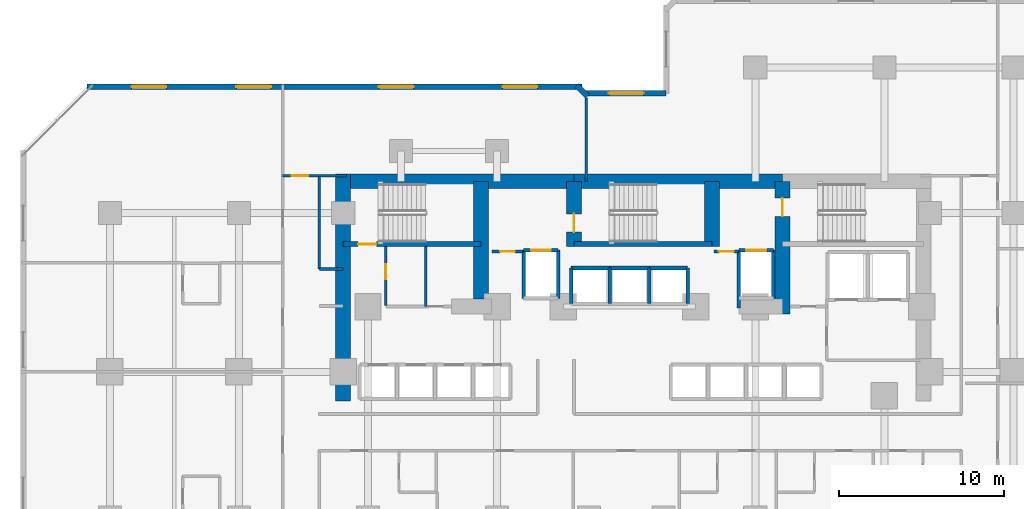
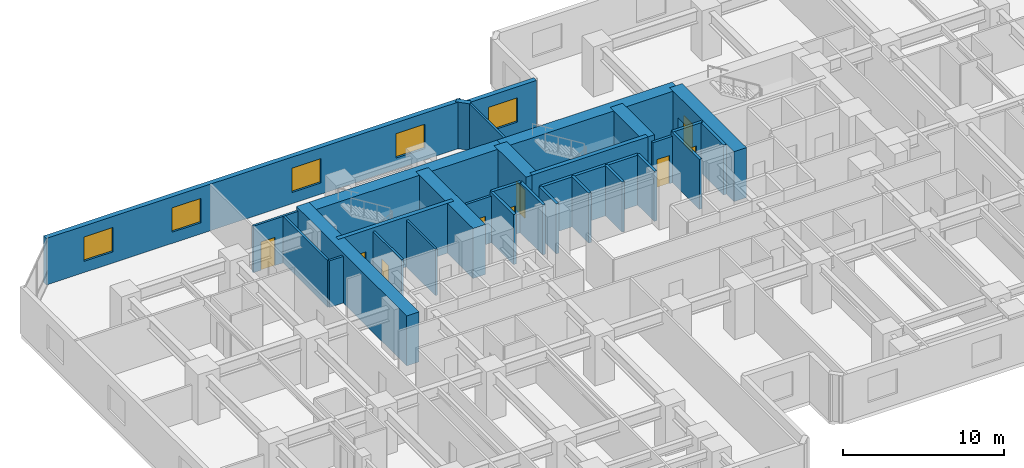
# One storey, part 8 of 12: 33 walls, 9 doors, 5 windows, 14 openings.
"""IFC4 building model written with IfcOpenShell, lengths in metres."""

from ifc_helpers import new_model, si_unit, direction, frame, frame_2d, origin, place, context, subcontext, project, spatial, rectangle, extrude, material, layer, layer_set, type_object, element, fill, save


model = new_model("IFC4")

# Units and contexts
model_context = context("Model", 3, precision=1e-05, world=origin(), true_north=direction((0.0, 1.0)))
body_context = subcontext(model_context, "Body", "Model", "MODEL_VIEW")
ifc_project = project(units=[si_unit("LENGTHUNIT", "METRE"), si_unit("AREAUNIT", "SQUARE_METRE"), si_unit("VOLUMEUNIT", "CUBIC_METRE"), si_unit("PLANEANGLEUNIT", "RADIAN"), si_unit("MASSUNIT", "GRAM", prefix="KILO")], contexts=[model_context])

# Site, building, storey
site_placement = place(None, origin())
site = spatial("IfcSite", under=ifc_project, at=site_placement, CompositionType="ELEMENT")
building_placement = place(site_placement, origin())
building = spatial("IfcBuilding", under=site, at=building_placement, Name="Kestravale Grand Hotel", CompositionType="ELEMENT")
storey_placement = place(building_placement, frame((0.0, 0.0, 67.800048828125)))
storey = spatial("IfcBuildingStorey", under=building, at=storey_placement, Name="L16", CompositionType="ELEMENT", Elevation=67.800048828125)

# Walls
ifc_material_1 = material(Name="Concrete f'c 70 MPa", Category="concrete")
ifc_layer_1 = layer(ifc_material_1, 0.89990234375)
ifc_layer_set_1 = layer_set([ifc_layer_1], Name="EW-CORE-900")
wall_type_1 = type_object("IfcWallType", Name="EW-CORE-900", PredefinedType="SHEAR", material=ifc_layer_set_1)
wall_1_placement = place(storey_placement, frame((21.449951171875, 40.320068359375, 0.0), z_axis=(0.0, 0.0, 1.0), x_axis=(1.0, 0.0, 0.0)))
element("IfcWall", 1, at=wall_1_placement, inside=storey, type_object=wall_type_1, Name="L16 core shear wall N1", PredefinedType="SHEAR", context=body_context, shape_type="SweptSolid", body=[
    extrude(rectangle(XDim=14.400146484375, YDim=0.89990234375, at=frame_2d((7.2001953125, 0.0))), origin(), (0.0, 0.0, 1.0), 3.800048828125),
])
wall_2_placement = place(storey_placement, frame((35.85009765625, 40.320068359375, 0.0), z_axis=(0.0, 0.0, 1.0), x_axis=(1.0, 0.0, 0.0)))
element("IfcWall", 2, at=wall_2_placement, inside=storey, type_object=wall_type_1, Name="L16 core shear wall N2", PredefinedType="SHEAR", context=body_context, shape_type="SweptSolid", body=[
    extrude(rectangle(XDim=12.599853515625, YDim=0.89990234375, at=frame_2d((6.2998046875, 0.0))), origin(), (0.0, 0.0, 1.0), 3.800048828125),
])
wall_3_placement = place(storey_placement, frame((21.89990234375, 27.050048828125, 0.0), z_axis=(0.0, 0.0, 1.0), x_axis=(0.0, 1.0, 0.0)))
element("IfcWall", 3, at=wall_3_placement, inside=storey, type_object=wall_type_1, Name="L16 core shear wall W1", PredefinedType="SHEAR", context=body_context, shape_type="SweptSolid", body=[
    extrude(rectangle(XDim=13.719970703125, YDim=0.89990234375, at=frame_2d((6.85986328125, 0.0))), origin(), (0.0, 0.0, 1.0), 3.800048828125),
])
wall_4_placement = place(storey_placement, frame((30.219970703125, 33.199951171875, 0.0), z_axis=(0.0, 0.0, 1.0), x_axis=(0.0, 1.0, 0.0)))
element("IfcWall", 4, at=wall_4_placement, inside=storey, type_object=wall_type_1, Name="L16 core shear wall X1", PredefinedType="SHEAR", context=body_context, shape_type="SweptSolid", body=[
    extrude(rectangle(XDim=7.1201171875, YDim=0.89990234375, at=frame_2d((3.56005859375, 0.0))), origin(), (0.0, 0.0, 1.0), 3.800048828125),
])

# Wall, opening, door
wall_5_placement = place(storey_placement, frame((35.85009765625, 36.3701171875, 0.0), z_axis=(0.0, 0.0, 1.0), x_axis=(0.0, 1.0, 0.0)))
wall_5 = element("IfcWall", 5, at=wall_5_placement, inside=storey, type_object=wall_type_1, Name="L16 core shear wall X2", PredefinedType="SHEAR", context=body_context, shape_type="SweptSolid", body=[
    extrude(rectangle(XDim=3.949951171875, YDim=0.89990234375, at=frame_2d((1.97509765625, 0.0))), origin(), (0.0, 0.0, 1.0), 3.800048828125),
])
opening_1_placement = place(wall_5_placement, frame((0.8798828125, 0.0, 0.0)))
opening_1 = element("IfcOpeningElement", 6, at=opening_1_placement, cuts=wall_5, Name="Opening D-ST-1100", PredefinedType="OPENING", context=body_context, shape_type="SweptSolid", body=[
    extrude(rectangle(XDim=1.10009765625, YDim=2.14990234375, at=frame_2d((0.550048828125, 1.074951171875))), frame((0.0, 0.4599609375, 0.0), z_axis=(0.0, -1.0, 0.0), x_axis=(1.0, 0.0, 0.0)), (0.0, 0.0, 1.0), 0.919921875),
])
ifc_material_2 = material(Name="Galvanised 90-minute fire-rated steel stair door", Category="steel")
door_type_1 = type_object("IfcDoorType", Name="D-ST-1100", OperationType="NOTDEFINED", PredefinedType="DOOR", material=ifc_material_2)
door_1_placement = place(opening_1_placement, origin())
door_1 = element("IfcDoor", 7, at=door_1_placement, inside=storey, type_object=door_type_1, Name="L16 Stair ST-2 FSAE fire door", OperationType="SINGLE_SWING_RIGHT", OverallHeight=2.14990234375, OverallWidth=1.10009765625, PredefinedType="DOOR", context=body_context, shape_type="SweptSolid", body=[
    extrude(rectangle(XDim=1.10009765625, YDim=2.14990234375, at=frame_2d((0.550048828125, 1.074951171875))), frame((0.0, 0.02490234375, 0.0), z_axis=(0.0, -1.0, 0.0), x_axis=(1.0, 0.0, 0.0)), (0.0, 0.0, 1.0), 0.050048828125),
])
fill(opening_1, door_1)

# Wall
wall_6_placement = place(storey_placement, frame((44.179931640625, 36.3701171875, 0.0), z_axis=(0.0, 0.0, 1.0), x_axis=(0.0, 1.0, 0.0)))
element("IfcWall", 8, at=wall_6_placement, inside=storey, type_object=wall_type_1, Name="L16 core shear wall X3", PredefinedType="SHEAR", context=body_context, shape_type="SweptSolid", body=[
    extrude(rectangle(XDim=3.949951171875, YDim=0.89990234375, at=frame_2d((1.97509765625, 0.0))), origin(), (0.0, 0.0, 1.0), 3.800048828125),
])

# Wall, opening, door
wall_7_placement = place(storey_placement, frame((48.449951171875, 32.300048828125, 0.0), z_axis=(0.0, 0.0, 1.0), x_axis=(0.0, 1.0, 0.0)))
wall_7 = element("IfcWall", 9, at=wall_7_placement, inside=storey, type_object=wall_type_1, Name="L16 core shear wall X4", PredefinedType="SHEAR", context=body_context, shape_type="SweptSolid", body=[
    extrude(rectangle(XDim=8.02001953125, YDim=0.89990234375, at=frame_2d((4.010009765625, 0.0))), origin(), (0.0, 0.0, 1.0), 3.800048828125),
])
opening_2_placement = place(wall_7_placement, frame((5.89990234375, 0.0, 0.0)))
opening_2 = element("IfcOpeningElement", 10, at=opening_2_placement, cuts=wall_7, Name="Opening D-ST-1100", PredefinedType="OPENING", context=body_context, shape_type="SweptSolid", body=[
    extrude(rectangle(XDim=1.10009765625, YDim=2.14990234375, at=frame_2d((0.550048828125, 1.074951171875))), frame((0.0, 0.4599609375, 0.0), z_axis=(0.0, -1.0, 0.0), x_axis=(1.0, 0.0, 0.0)), (0.0, 0.0, 1.0), 0.919921875),
])
door_2_placement = place(opening_2_placement, origin())
door_2 = element("IfcDoor", 11, at=door_2_placement, inside=storey, type_object=door_type_1, Name="L16 Stair ST-3 FSAE fire door", OperationType="SINGLE_SWING_RIGHT", OverallHeight=2.14990234375, OverallWidth=1.10009765625, PredefinedType="DOOR", context=body_context, shape_type="SweptSolid", body=[
    extrude(rectangle(XDim=1.10009765625, YDim=2.14990234375, at=frame_2d((0.550048828125, 1.074951171875))), frame((0.0, 0.02490234375, 0.0), z_axis=(0.0, -1.0, 0.0), x_axis=(1.0, 0.0, 0.0)), (0.0, 0.0, 1.0), 0.050048828125),
])
fill(opening_2, door_2)

# Wall, opening, window
ifc_material_3 = material(Name="Precast concrete f'c 45 MPa", Category="concrete")
ifc_layer_2 = layer(ifc_material_3, 0.340087890625)
ifc_layer_set_2 = layer_set([ifc_layer_2], Name="EW-PREC-340")
wall_type_2 = type_object("IfcWallType", Name="EW-PREC-340", PredefinedType="SOLIDWALL", material=ifc_layer_set_2)
wall_8_placement = place(storey_placement, frame((41.419921875, 45.6298828125, 0.0), z_axis=(0.0, 0.0, 1.0), x_axis=(-1.0, 0.0, 0.0)))
wall_8 = element("IfcWall", 12, at=wall_8_placement, inside=storey, type_object=wall_type_2, Name="L16 fluted precast facade wall 14", PredefinedType="SOLIDWALL", context=body_context, shape_type="SweptSolid", body=[
    extrude(rectangle(XDim=4.83984375, YDim=0.340087890625, at=frame_2d((2.419921875, 0.0))), origin(), (0.0, 0.0, 1.0), 3.5400390625),
])
opening_3_placement = place(wall_8_placement, frame((1.3701171875, 0.0, 0.85009765625)))
opening_3 = element("IfcOpeningElement", 13, at=opening_3_placement, cuts=wall_8, Name="Opening W-GUEST-2100", PredefinedType="OPENING", context=body_context, shape_type="SweptSolid", body=[
    extrude(rectangle(XDim=2.10009765625, YDim=1.85009765625, at=frame_2d((1.050048828125, 0.925048828125))), frame((0.0, 0.179931640625, 0.0), z_axis=(0.0, -1.0, 0.0), x_axis=(1.0, 0.0, 0.0)), (0.0, 0.0, 1.0), 0.360107421875),
])
ifc_material_4 = material(Name="Insulated low-E double glazing in aluminium frame", Category="aluminium")
window_type = type_object("IfcWindowType", Name="W-GUEST-2100", PartitioningType="DOUBLE_PANEL_VERTICAL", PredefinedType="WINDOW", material=ifc_material_4)
window_1_placement = place(opening_3_placement, origin())
window_1 = element("IfcWindow", 14, at=window_1_placement, inside=storey, type_object=window_type, Name="L16 exterior window 14.1", OverallHeight=1.85009765625, OverallWidth=2.10009765625, PartitioningType="SINGLE_PANEL", PredefinedType="WINDOW", context=body_context, shape_type="SweptSolid", body=[
    extrude(rectangle(XDim=2.10009765625, YDim=1.85009765625, at=frame_2d((1.050048828125, 0.925048828125))), frame((0.0, 0.030029296875, 0.0), z_axis=(0.0, -1.0, 0.0), x_axis=(1.0, 0.0, 0.0)), (0.0, 0.0, 1.0), 0.06005859375),
])
fill(opening_3, window_1)

# Wall
wall_9_placement = place(storey_placement, frame((36.658203125, 45.451416015625, 0.0), z_axis=(0.0, 0.0, 1.0), x_axis=(-0.707106781187, 0.707106781187, 0.0)))
element("IfcWall", 15, at=wall_9_placement, inside=storey, type_object=wall_type_2, Name="L16 fluted precast facade wall 16", PredefinedType="SOLIDWALL", context=body_context, shape_type="SweptSolid", body=[
    extrude(rectangle(XDim=0.9287109375, YDim=0.340087890625, at=frame_2d((0.46435546875, 0.0))), origin(), (0.0, 0.0, 1.0), 3.5400390625),
])

# Wall, openings, windows
wall_10_placement = place(storey_placement, frame((36.320068359375, 46.030029296875, 0.0), z_axis=(0.0, 0.0, 1.0), x_axis=(-1.0, 0.0, 0.0)))
wall_10 = element("IfcWall", 16, at=wall_10_placement, inside=storey, type_object=wall_type_2, Name="L16 fluted precast facade wall 17", PredefinedType="SOLIDWALL", context=body_context, shape_type="SweptSolid", body=[
    extrude(rectangle(XDim=29.89013671875, YDim=0.340087890625, at=frame_2d((14.945068359375, 0.0))), origin(), (0.0, 0.0, 1.0), 3.5400390625),
])
opening_4_placement = place(wall_10_placement, frame((2.686279296875, 0.0, 0.85009765625)))
opening_4 = element("IfcOpeningElement", 17, at=opening_4_placement, cuts=wall_10, Name="Opening W-GUEST-2100", PredefinedType="OPENING", context=body_context, shape_type="SweptSolid", body=[
    extrude(rectangle(XDim=2.10009765625, YDim=1.85009765625, at=frame_2d((1.050048828125, 0.925048828125))), frame((0.0, 0.179931640625, 0.0), z_axis=(0.0, -1.0, 0.0), x_axis=(1.0, 0.0, 0.0)), (0.0, 0.0, 1.0), 0.360107421875),
])
opening_5_placement = place(wall_10_placement, frame((10.15869140625, 0.0, 0.85009765625)))
opening_5 = element("IfcOpeningElement", 18, at=opening_5_placement, cuts=wall_10, Name="Opening W-GUEST-2100", PredefinedType="OPENING", context=body_context, shape_type="SweptSolid", body=[
    extrude(rectangle(XDim=2.10009765625, YDim=1.85009765625, at=frame_2d((1.050048828125, 0.925048828125))), frame((0.0, 0.179931640625, 0.0), z_axis=(0.0, -1.0, 0.0), x_axis=(1.0, 0.0, 0.0)), (0.0, 0.0, 1.0), 0.360107421875),
])
opening_6_placement = place(wall_10_placement, frame((18.78125, 0.0, 0.85009765625)))
opening_6 = element("IfcOpeningElement", 19, at=opening_6_placement, cuts=wall_10, Name="Opening W-GUEST-2100", PredefinedType="OPENING", context=body_context, shape_type="SweptSolid", body=[
    extrude(rectangle(XDim=2.10009765625, YDim=1.85009765625, at=frame_2d((1.050048828125, 0.925048828125))), frame((0.0, 0.179931640625, 0.0), z_axis=(0.0, -1.0, 0.0), x_axis=(1.0, 0.0, 0.0)), (0.0, 0.0, 1.0), 0.360107421875),
])
opening_7_placement = place(wall_10_placement, frame((25.103759765625, 0.0, 0.85009765625)))
opening_7 = element("IfcOpeningElement", 20, at=opening_7_placement, cuts=wall_10, Name="Opening W-GUEST-2100", PredefinedType="OPENING", context=body_context, shape_type="SweptSolid", body=[
    extrude(rectangle(XDim=2.10009765625, YDim=1.85009765625, at=frame_2d((1.050048828125, 0.925048828125))), frame((0.0, 0.179931640625, 0.0), z_axis=(0.0, -1.0, 0.0), x_axis=(1.0, 0.0, 0.0)), (0.0, 0.0, 1.0), 0.360107421875),
])
window_2_placement = place(opening_4_placement, origin())
window_2 = element("IfcWindow", 21, at=window_2_placement, inside=storey, type_object=window_type, Name="L16 exterior window 17.1", OverallHeight=1.85009765625, OverallWidth=2.10009765625, PartitioningType="SINGLE_PANEL", PredefinedType="WINDOW", context=body_context, shape_type="SweptSolid", body=[
    extrude(rectangle(XDim=2.10009765625, YDim=1.85009765625, at=frame_2d((1.050048828125, 0.925048828125))), frame((0.0, 0.030029296875, 0.0), z_axis=(0.0, -1.0, 0.0), x_axis=(1.0, 0.0, 0.0)), (0.0, 0.0, 1.0), 0.06005859375),
])
fill(opening_4, window_2)
window_3_placement = place(opening_5_placement, origin())
window_3 = element("IfcWindow", 22, at=window_3_placement, inside=storey, type_object=window_type, Name="L16 exterior window 17.2", OverallHeight=1.85009765625, OverallWidth=2.10009765625, PartitioningType="SINGLE_PANEL", PredefinedType="WINDOW", context=body_context, shape_type="SweptSolid", body=[
    extrude(rectangle(XDim=2.10009765625, YDim=1.85009765625, at=frame_2d((1.050048828125, 0.925048828125))), frame((0.0, 0.030029296875, 0.0), z_axis=(0.0, -1.0, 0.0), x_axis=(1.0, 0.0, 0.0)), (0.0, 0.0, 1.0), 0.06005859375),
])
fill(opening_5, window_3)
window_4_placement = place(opening_6_placement, origin())
window_4 = element("IfcWindow", 23, at=window_4_placement, inside=storey, type_object=window_type, Name="L16 exterior window 17.3", OverallHeight=1.85009765625, OverallWidth=2.10009765625, PartitioningType="SINGLE_PANEL", PredefinedType="WINDOW", context=body_context, shape_type="SweptSolid", body=[
    extrude(rectangle(XDim=2.10009765625, YDim=1.85009765625, at=frame_2d((1.050048828125, 0.925048828125))), frame((0.0, 0.030029296875, 0.0), z_axis=(0.0, -1.0, 0.0), x_axis=(1.0, 0.0, 0.0)), (0.0, 0.0, 1.0), 0.06005859375),
])
fill(opening_6, window_4)
window_5_placement = place(opening_7_placement, origin())
window_5 = element("IfcWindow", 24, at=window_5_placement, inside=storey, type_object=window_type, Name="L16 exterior window 17.4", OverallHeight=1.85009765625, OverallWidth=2.10009765625, PartitioningType="SINGLE_PANEL", PredefinedType="WINDOW", context=body_context, shape_type="SweptSolid", body=[
    extrude(rectangle(XDim=2.10009765625, YDim=1.85009765625, at=frame_2d((1.050048828125, 0.925048828125))), frame((0.0, 0.030029296875, 0.0), z_axis=(0.0, -1.0, 0.0), x_axis=(1.0, 0.0, 0.0)), (0.0, 0.0, 1.0), 0.06005859375),
])
fill(opening_7, window_5)

# Wall, opening, door
ifc_material_5 = material(Name="Concrete f'c 45 MPa", Category="concrete")
ifc_layer_3 = layer(ifc_material_5, 0.300048828125)
ifc_layer_set_3 = layer_set([ifc_layer_3], Name="EW-STAIR-300")
wall_type_3 = type_object("IfcWallType", Name="EW-STAIR-300", PredefinedType="SHEAR", material=ifc_layer_set_3)
wall_11_placement = place(storey_placement, frame((21.89990234375, 36.52001953125, 0.0), z_axis=(0.0, 0.0, 1.0), x_axis=(1.0, 0.0, 0.0)))
wall_11 = element("IfcWall", 25, at=wall_11_placement, inside=storey, type_object=wall_type_3, Name="L16 stair enclosure shear wall SST1", PredefinedType="SHEAR", context=body_context, shape_type="SweptSolid", body=[
    extrude(rectangle(XDim=8.320068359375, YDim=0.300048828125, at=frame_2d((4.16015625, 0.0))), origin(), (0.0, 0.0, 1.0), 3.800048828125),
])
opening_8_placement = place(wall_11_placement, frame((0.89990234375, 0.0, 0.0)))
opening_8 = element("IfcOpeningElement", 26, at=opening_8_placement, cuts=wall_11, Name="Opening D-ST-1100", PredefinedType="OPENING", context=body_context, shape_type="SweptSolid", body=[
    extrude(rectangle(XDim=1.10009765625, YDim=2.14990234375, at=frame_2d((0.550048828125, 1.074951171875))), frame((0.0, 0.159912109375, 0.0), z_axis=(0.0, -1.0, 0.0), x_axis=(1.0, 0.0, 0.0)), (0.0, 0.0, 1.0), 0.320068359375),
])
door_3_placement = place(opening_8_placement, origin())
door_3 = element("IfcDoor", 27, at=door_3_placement, inside=storey, type_object=door_type_1, Name="L16 Stair ST-1 fire door", OperationType="SINGLE_SWING_RIGHT", OverallHeight=2.14990234375, OverallWidth=1.10009765625, PredefinedType="DOOR", context=body_context, shape_type="SweptSolid", body=[
    extrude(rectangle(XDim=1.10009765625, YDim=2.14990234375, at=frame_2d((0.550048828125, 1.074951171875))), frame((0.0, 0.02490234375, 0.0), z_axis=(0.0, -1.0, 0.0), x_axis=(1.0, 0.0, 0.0)), (0.0, 0.0, 1.0), 0.050048828125),
])
fill(opening_8, door_3)

# Wall
wall_12_placement = place(storey_placement, frame((35.85009765625, 36.52001953125, 0.0), z_axis=(0.0, 0.0, 1.0), x_axis=(1.0, 0.0, 0.0)))
element("IfcWall", 28, at=wall_12_placement, inside=storey, type_object=wall_type_3, Name="L16 stair enclosure shear wall SST2", PredefinedType="SHEAR", context=body_context, shape_type="SweptSolid", body=[
    extrude(rectangle(XDim=8.329833984375, YDim=0.300048828125, at=frame_2d((4.1650390625, 0.0))), origin(), (0.0, 0.0, 1.0), 3.800048828125),
])

# Wall, opening, door
ifc_material_6 = material(Name="Acoustic fire-rated gypsum board partition", Category="other")
ifc_layer_4 = layer(ifc_material_6, 0.159912109375)
ifc_layer_set_4 = layer_set([ifc_layer_4], Name="IW-CORR-160")
wall_type_4 = type_object("IfcWallType", Name="IW-CORR-160", PredefinedType="PARTITIONING", material=ifc_layer_set_4)
wall_13_placement = place(storey_placement, frame((24.47998046875, 32.800048828125, 0.0), z_axis=(0.0, 0.0, 1.0), x_axis=(0.0, 1.0, 0.0)))
wall_13 = element("IfcWall", 29, at=wall_13_placement, inside=storey, type_object=wall_type_4, Name="L16 west core vestibule wall", PredefinedType="PARTITIONING", context=body_context, shape_type="SweptSolid", body=[
    extrude(rectangle(XDim=3.570068359375, YDim=0.159912109375, at=frame_2d((1.78515625, 0.0))), origin(), (0.0, 0.0, 1.0), 3.5400390625),
])
opening_9_placement = place(wall_13_placement, frame((1.603515625, 0.0, 0.0)))
opening_9 = element("IfcOpeningElement", 30, at=opening_9_placement, cuts=wall_13, Name="Opening D-SH-900", PredefinedType="OPENING", context=body_context, shape_type="SweptSolid", body=[
    extrude(rectangle(XDim=0.89990234375, YDim=2.10009765625, at=frame_2d((0.449951171875, 1.050048828125))), frame((0.0, 0.08984375, 0.0), z_axis=(0.0, -1.0, 0.0), x_axis=(1.0, 0.0, 0.0)), (0.0, 0.0, 1.0), 0.179931640625),
])
ifc_material_7 = material(Name="Galvanised 90-minute shaft and service fire door", Category="steel")
door_type_2 = type_object("IfcDoorType", Name="D-SH-900", OperationType="NOTDEFINED", PredefinedType="DOOR", material=ifc_material_7)
door_4_placement = place(opening_9_placement, origin())
door_4 = element("IfcDoor", 31, at=door_4_placement, inside=storey, type_object=door_type_2, Name="D-L16-HK", OperationType="SINGLE_SWING_RIGHT", OverallHeight=2.10009765625, OverallWidth=0.89990234375, PredefinedType="DOOR", context=body_context, shape_type="SweptSolid", body=[
    extrude(rectangle(XDim=0.89990234375, YDim=2.10009765625, at=frame_2d((0.449951171875, 1.050048828125))), frame((0.0, 0.02490234375, 0.0), z_axis=(0.0, -1.0, 0.0), x_axis=(1.0, 0.0, 0.0)), (0.0, 0.0, 1.0), 0.050048828125),
])
fill(opening_9, door_4)

# Walls
wall_14_placement = place(storey_placement, frame((20.4599609375, 35.02001953125, 0.0), z_axis=(0.0, 0.0, 1.0), x_axis=(0.0, 1.0, 0.0)))
element("IfcWall", 32, at=wall_14_placement, inside=storey, type_object=wall_type_4, Name="W-L16-SW-EN", PredefinedType="PARTITIONING", context=body_context, shape_type="SweptSolid", body=[
    extrude(rectangle(XDim=5.6298828125, YDim=0.159912109375, at=frame_2d((2.81494140625, 0.0))), origin(), (0.0, 0.0, 1.0), 3.5400390625),
])
wall_15_placement = place(storey_placement, frame((20.4599609375, 35.02001953125, 0.0), z_axis=(0.0, 0.0, 1.0), x_axis=(1.0, 0.0, 0.0)))
element("IfcWall", 33, at=wall_15_placement, inside=storey, type_object=wall_type_4, Name="W-L16-SW-CN", PredefinedType="PARTITIONING", context=body_context, shape_type="SweptSolid", body=[
    extrude(rectangle(XDim=1.43994140625, YDim=0.159912109375, at=frame_2d((0.719970703125, 0.0))), origin(), (0.0, 0.0, 1.0), 3.5400390625),
])

# Wall, opening, door
ifc_material_8 = material(Name="Fire-rated gypsum board on steel studs with mineral wool", Category="steel")
ifc_layer_5 = layer(ifc_material_8, 0.179931640625)
ifc_layer_set_5 = layer_set([ifc_layer_5], Name="IW-FSAE-180")
wall_type_5 = type_object("IfcWallType", Name="IW-FSAE-180", PredefinedType="PARTITIONING", material=ifc_layer_set_5)
wall_16_placement = place(storey_placement, frame((30.89990234375, 36.080078125, 0.0), z_axis=(0.0, 0.0, 1.0), x_axis=(1.0, 0.0, 0.0)))
wall_16 = element("IfcWall", 34, at=wall_16_placement, inside=storey, type_object=wall_type_5, Name="L16 FSAE Lobby 1 smoke barrier", PredefinedType="PARTITIONING", context=body_context, shape_type="SweptSolid", body=[
    extrude(rectangle(XDim=1.85009765625, YDim=0.179931640625, at=frame_2d((0.925048828125, 0.0))), origin(), (0.0, 0.0, 1.0), 3.5400390625),
])
opening_10_placement = place(wall_16_placement, frame((0.47998046875, 0.0, 0.0)))
opening_10 = element("IfcOpeningElement", 35, at=opening_10_placement, cuts=wall_16, Name="Opening D-FSAE-1000", PredefinedType="OPENING", context=body_context, shape_type="SweptSolid", body=[
    extrude(rectangle(XDim=0.89990234375, YDim=2.14990234375, at=frame_2d((0.449951171875, 1.074951171875))), frame((0.0, 0.099853515625, 0.0), z_axis=(0.0, -1.0, 0.0), x_axis=(1.0, 0.0, 0.0)), (0.0, 0.0, 1.0), 0.199951171875),
])
ifc_material_9 = material(Name="Smoke-gasketed FSAE lobby fire door", Category="steel")
door_type_3 = type_object("IfcDoorType", Name="D-FSAE-1000", OperationType="NOTDEFINED", PredefinedType="DOOR", material=ifc_material_9)
door_5_placement = place(opening_10_placement, origin())
door_5 = element("IfcDoor", 36, at=door_5_placement, inside=storey, type_object=door_type_3, Name="L16 FSAE Lobby 1 fire door", OperationType="SINGLE_SWING_RIGHT", OverallHeight=2.14990234375, OverallWidth=0.89990234375, PredefinedType="DOOR", context=body_context, shape_type="SweptSolid", body=[
    extrude(rectangle(XDim=0.89990234375, YDim=2.14990234375, at=frame_2d((0.449951171875, 1.074951171875))), frame((0.0, 0.02490234375, 0.0), z_axis=(0.0, -1.0, 0.0), x_axis=(1.0, 0.0, 0.0)), (0.0, 0.0, 1.0), 0.050048828125),
])
fill(opening_10, door_5)

wall_17_placement = place(storey_placement, frame((44.300048828125, 36.080078125, 0.0), z_axis=(0.0, 0.0, 1.0), x_axis=(1.0, 0.0, 0.0)))
wall_17 = element("IfcWall", 37, at=wall_17_placement, inside=storey, type_object=wall_type_5, Name="L16 FSAE Lobby 2 smoke barrier", PredefinedType="PARTITIONING", context=body_context, shape_type="SweptSolid", body=[
    extrude(rectangle(XDim=1.5, YDim=0.179931640625, at=frame_2d((0.75, 0.0))), origin(), (0.0, 0.0, 1.0), 3.5400390625),
])
opening_11_placement = place(wall_17_placement, frame((0.300048828125, 0.0, 0.0)))
opening_11 = element("IfcOpeningElement", 38, at=opening_11_placement, cuts=wall_17, Name="Opening D-FSAE-1000", PredefinedType="OPENING", context=body_context, shape_type="SweptSolid", body=[
    extrude(rectangle(XDim=0.89990234375, YDim=2.14990234375, at=frame_2d((0.449951171875, 1.074951171875))), frame((0.0, 0.099853515625, 0.0), z_axis=(0.0, -1.0, 0.0), x_axis=(1.0, 0.0, 0.0)), (0.0, 0.0, 1.0), 0.199951171875),
])
door_6_placement = place(opening_11_placement, origin())
door_6 = element("IfcDoor", 39, at=door_6_placement, inside=storey, type_object=door_type_3, Name="L16 FSAE Lobby 2 fire door", OperationType="SINGLE_SWING_LEFT", OverallHeight=2.14990234375, OverallWidth=0.89990234375, PredefinedType="DOOR", context=body_context, shape_type="SweptSolid", body=[
    extrude(rectangle(XDim=0.89990234375, YDim=2.14990234375, at=frame_2d((0.449951171875, 1.074951171875))), frame((0.0, 0.02490234375, 0.0), z_axis=(0.0, -1.0, 0.0), x_axis=(1.0, 0.0, 0.0)), (0.0, 0.0, 1.0), 0.050048828125),
])
fill(opening_11, door_6)

# Walls
ifc_material_10 = material(Name="Concrete f'c 45 MPa", Category="concrete")
ifc_layer_6 = layer(ifc_material_10, 0.199951171875)
ifc_layer_set_6 = layer_set([ifc_layer_6], Name="IW-SHAFT-200")
wall_type_6 = type_object("IfcWallType", Name="IW-SHAFT-200", PredefinedType="SHEAR", material=ifc_layer_set_6)
for number, where, z_axis, x_axis, name in (
    (40, (35.679931640625, 32.919921875, 0.0), (0.0, 0.0, 1.0), (0.0, 1.0, 0.0), "L16 PL-X1 west shaft wall"),
    (41, (38.0, 32.919921875, 0.0), (0.0, 0.0, 1.0), (0.0, 1.0, 0.0), "L16 PL-X2 west shaft wall"),
    (42, (40.39990234375, 32.919921875, 0.0), (0.0, 0.0, 1.0), (0.0, 1.0, 0.0), "L16 PL-X3 west shaft wall"),
    (43, (42.719970703125, 32.919921875, 0.0), (0.0, 0.0, 1.0), (0.0, 1.0, 0.0), "L16 PL-X3 east shaft wall"),
):
    element("IfcWall", number, at=place(storey_placement, frame(where, z_axis=z_axis, x_axis=x_axis)), inside=storey, type_object=wall_type_6, Name=name, PredefinedType="SHEAR", context=body_context, shape_type="SweptSolid", body=[
        extrude(rectangle(XDim=2.16015625, YDim=0.199951171875, at=frame_2d((1.080078125, 0.0))), origin(), (0.0, 0.0, 1.0), 3.800048828125),
    ])
for number, where, z_axis, x_axis, name in (
    (44, (32.804931640625, 33.2451171875, 0.0), (0.0, 0.0, 1.0), (0.0, 1.0, 0.0), "L16 FL-1 west shaft wall"),
    (45, (34.89501953125, 33.2451171875, 0.0), (0.0, 0.0, 1.0), (0.0, 1.0, 0.0), "L16 FL-1 east shaft wall"),
):
    element("IfcWall", number, at=place(storey_placement, frame(where, z_axis=z_axis, x_axis=x_axis)), inside=storey, type_object=wall_type_6, Name=name, PredefinedType="SHEAR", context=body_context, shape_type="SweptSolid", body=[
        extrude(rectangle(XDim=2.909912109375, YDim=0.199951171875, at=frame_2d((1.455078125, 0.0))), origin(), (0.0, 0.0, 1.0), 3.800048828125),
    ])
wall_18_placement = place(storey_placement, frame((45.804931640625, 32.64990234375, 0.0), z_axis=(0.0, 0.0, 1.0), x_axis=(0.0, 1.0, 0.0)))
element("IfcWall", 46, at=wall_18_placement, inside=storey, type_object=wall_type_6, Name="L16 FL-2 west shaft wall", PredefinedType="SHEAR", context=body_context, shape_type="SweptSolid", body=[
    extrude(rectangle(XDim=3.505126953125, YDim=0.199951171875, at=frame_2d((1.75244140625, 0.0))), origin(), (0.0, 0.0, 1.0), 3.800048828125),
])
wall_19_placement = place(storey_placement, frame((47.89501953125, 33.2451171875, 0.0), z_axis=(0.0, 0.0, 1.0), x_axis=(0.0, 1.0, 0.0)))
element("IfcWall", 47, at=wall_19_placement, inside=storey, type_object=wall_type_6, Name="L16 FL-2 east shaft wall", PredefinedType="SHEAR", context=body_context, shape_type="SweptSolid", body=[
    extrude(rectangle(XDim=2.909912109375, YDim=0.199951171875, at=frame_2d((1.455078125, 0.0))), origin(), (0.0, 0.0, 1.0), 3.800048828125),
])
ifc_material_11 = material(Name="Concrete f'c 45 MPa", Category="concrete")
ifc_layer_7 = layer(ifc_material_11, 0.219970703125)
ifc_layer_set_7 = layer_set([ifc_layer_7], Name="IW-SHAFT-220")
wall_type_7 = type_object("IfcWallType", Name="IW-SHAFT-220", PredefinedType="SHEAR", material=ifc_layer_set_7)
wall_20_placement = place(storey_placement, frame((35.679931640625, 35.080078125, 0.0), z_axis=(0.0, 0.0, 1.0), x_axis=(1.0, 0.0, 0.0)))
element("IfcWall", 48, at=wall_20_placement, inside=storey, type_object=wall_type_7, Name="L16 PL-X1 north shaft wall", PredefinedType="SHEAR", context=body_context, shape_type="SweptSolid", body=[
    extrude(rectangle(XDim=2.320068359375, YDim=0.219970703125, at=frame_2d((1.16015625, 0.0))), origin(), (0.0, 0.0, 1.0), 3.800048828125),
])
wall_21_placement = place(storey_placement, frame((38.0, 35.080078125, 0.0), z_axis=(0.0, 0.0, 1.0), x_axis=(1.0, 0.0, 0.0)))
element("IfcWall", 49, at=wall_21_placement, inside=storey, type_object=wall_type_7, Name="L16 PL-X2 north shaft wall", PredefinedType="SHEAR", context=body_context, shape_type="SweptSolid", body=[
    extrude(rectangle(XDim=2.39990234375, YDim=0.219970703125, at=frame_2d((1.199951171875, 0.0))), origin(), (0.0, 0.0, 1.0), 3.800048828125),
])
wall_22_placement = place(storey_placement, frame((40.39990234375, 35.080078125, 0.0), z_axis=(0.0, 0.0, 1.0), x_axis=(1.0, 0.0, 0.0)))
element("IfcWall", 50, at=wall_22_placement, inside=storey, type_object=wall_type_7, Name="L16 PL-X3 north shaft wall", PredefinedType="SHEAR", context=body_context, shape_type="SweptSolid", body=[
    extrude(rectangle(XDim=2.320068359375, YDim=0.219970703125, at=frame_2d((1.16015625, 0.0))), origin(), (0.0, 0.0, 1.0), 3.800048828125),
])

# Wall, opening, door
wall_23_placement = place(storey_placement, frame((32.804931640625, 36.155029296875, 0.0), z_axis=(0.0, 0.0, 1.0), x_axis=(1.0, 0.0, 0.0)))
wall_23 = element("IfcWall", 51, at=wall_23_placement, inside=storey, type_object=wall_type_7, Name="L16 FL-1 north shaft wall", PredefinedType="SHEAR", context=body_context, shape_type="SweptSolid", body=[
    extrude(rectangle(XDim=2.090087890625, YDim=0.219970703125, at=frame_2d((1.044921875, 0.0))), origin(), (0.0, 0.0, 1.0), 3.800048828125),
])
opening_12_placement = place(wall_23_placement, frame((0.445068359375, 0.0, 0.0)))
opening_12 = element("IfcOpeningElement", 52, at=opening_12_placement, cuts=wall_23, Name="Opening LD-FSAE-1200", PredefinedType="OPENING", context=body_context, shape_type="SweptSolid", body=[
    extrude(rectangle(XDim=1.199951171875, YDim=2.14990234375, at=frame_2d((0.60009765625, 1.074951171875))), frame((0.0, 0.119873046875, 0.0), z_axis=(0.0, -1.0, 0.0), x_axis=(1.0, 0.0, 0.0)), (0.0, 0.0, 1.0), 0.239990234375),
])
ifc_material_12 = material(Name="Stainless fire-service sliding elevator landing door", Category="steel")
door_type_4 = type_object("IfcDoorType", Name="LD-FSAE-1200", OperationType="NOTDEFINED", PredefinedType="DOOR", material=ifc_material_12)
door_7_placement = place(opening_12_placement, origin())
door_7 = element("IfcDoor", 53, at=door_7_placement, inside=storey, type_object=door_type_4, Name="L16 FL-1 elevator landing sliding door", OperationType="DOUBLE_DOOR_SLIDING", OverallHeight=2.14990234375, OverallWidth=1.199951171875, PredefinedType="DOOR", context=body_context, shape_type="SweptSolid", body=[
    extrude(rectangle(XDim=1.199951171875, YDim=2.14990234375, at=frame_2d((0.60009765625, 1.074951171875))), frame((0.0, 0.02490234375, 0.0), z_axis=(0.0, -1.0, 0.0), x_axis=(1.0, 0.0, 0.0)), (0.0, 0.0, 1.0), 0.050048828125),
])
fill(opening_12, door_7)

wall_24_placement = place(storey_placement, frame((45.804931640625, 36.155029296875, 0.0), z_axis=(0.0, 0.0, 1.0), x_axis=(1.0, 0.0, 0.0)))
wall_24 = element("IfcWall", 54, at=wall_24_placement, inside=storey, type_object=wall_type_7, Name="L16 FL-2 north shaft wall", PredefinedType="SHEAR", context=body_context, shape_type="SweptSolid", body=[
    extrude(rectangle(XDim=2.090087890625, YDim=0.219970703125, at=frame_2d((1.044921875, 0.0))), origin(), (0.0, 0.0, 1.0), 3.800048828125),
])
opening_13_placement = place(wall_24_placement, frame((0.445068359375, 0.0, 0.0)))
opening_13 = element("IfcOpeningElement", 55, at=opening_13_placement, cuts=wall_24, Name="Opening LD-FSAE-1200", PredefinedType="OPENING", context=body_context, shape_type="SweptSolid", body=[
    extrude(rectangle(XDim=1.199951171875, YDim=2.14990234375, at=frame_2d((0.60009765625, 1.074951171875))), frame((0.0, 0.119873046875, 0.0), z_axis=(0.0, -1.0, 0.0), x_axis=(1.0, 0.0, 0.0)), (0.0, 0.0, 1.0), 0.239990234375),
])
door_8_placement = place(opening_13_placement, origin())
door_8 = element("IfcDoor", 56, at=door_8_placement, inside=storey, type_object=door_type_4, Name="L16 FL-2 elevator landing sliding door", OperationType="DOUBLE_DOOR_SLIDING", OverallHeight=2.14990234375, OverallWidth=1.199951171875, PredefinedType="DOOR", context=body_context, shape_type="SweptSolid", body=[
    extrude(rectangle(XDim=1.199951171875, YDim=2.14990234375, at=frame_2d((0.60009765625, 1.074951171875))), frame((0.0, 0.02490234375, 0.0), z_axis=(0.0, -1.0, 0.0), x_axis=(1.0, 0.0, 0.0)), (0.0, 0.0, 1.0), 0.050048828125),
])
fill(opening_13, door_8)

# Wall
ifc_material_13 = material(Name="Double-stud STC 52 acoustic demising partition", Category="other")
ifc_layer_8 = layer(ifc_material_13, 0.14990234375)
ifc_layer_set_8 = layer_set([ifc_layer_8], Name="IW-UNIT-150")
wall_type_8 = type_object("IfcWallType", Name="IW-UNIT-150", PredefinedType="PARTITIONING", material=ifc_layer_set_8)
wall_25_placement = place(storey_placement, frame((26.8798828125, 32.75, 0.0), z_axis=(0.0, 0.0, 1.0), x_axis=(0.0, 1.0, 0.0)))
element("IfcWall", 57, at=wall_25_placement, inside=storey, type_object=wall_type_8, Name="W-L16-CC0-1", PredefinedType="PARTITIONING", context=body_context, shape_type="SweptSolid", body=[
    extrude(rectangle(XDim=3.6201171875, YDim=0.14990234375, at=frame_2d((1.81005859375, 0.0))), origin(), (0.0, 0.0, 1.0), 3.5400390625),
])

# Wall, opening, door
wall_26_placement = place(storey_placement, frame((18.239990234375, 40.64990234375, 0.0), z_axis=(0.0, 0.0, 1.0), x_axis=(1.0, 0.0, 0.0)))
wall_26 = element("IfcWall", 58, at=wall_26_placement, inside=storey, type_object=wall_type_8, Name="W-L16-SW-N", PredefinedType="PARTITIONING", context=body_context, shape_type="SweptSolid", body=[
    extrude(rectangle(XDim=3.860107421875, YDim=0.14990234375, at=frame_2d((1.93017578125, 0.0))), origin(), (0.0, 0.0, 1.0), 3.5400390625),
])
opening_14_placement = place(wall_26_placement, frame((0.550048828125, 0.0, 0.0)))
opening_14 = element("IfcOpeningElement", 59, at=opening_14_placement, cuts=wall_26, Name="Opening D-GUEST-1000", PredefinedType="OPENING", context=body_context, shape_type="SweptSolid", body=[
    extrude(rectangle(XDim=1.0, YDim=2.14990234375, at=frame_2d((0.5, 1.074951171875))), frame((0.0, 0.0849609375, 0.0), z_axis=(0.0, -1.0, 0.0), x_axis=(1.0, 0.0, 0.0)), (0.0, 0.0, 1.0), 0.169921875),
])
ifc_material_14 = material(Name="Accessible walnut veneer hotel entrance fire door", Category="wood")
door_type_5 = type_object("IfcDoorType", Name="D-GUEST-1000", OperationType="NOTDEFINED", PredefinedType="DOOR", material=ifc_material_14)
door_9_placement = place(opening_14_placement, origin())
door_9 = element("IfcDoor", 60, at=door_9_placement, inside=storey, type_object=door_type_5, Name="L16 NW Gallery Door", OperationType="SINGLE_SWING_RIGHT", OverallHeight=2.14990234375, OverallWidth=1.0, PredefinedType="DOOR", context=body_context, shape_type="SweptSolid", body=[
    extrude(rectangle(XDim=1.0, YDim=2.14990234375, at=frame_2d((0.5, 1.074951171875))), frame((0.0, 0.02490234375, 0.0), z_axis=(0.0, -1.0, 0.0), x_axis=(1.0, 0.0, 0.0)), (0.0, 0.0, 1.0), 0.050048828125),
])
fill(opening_14, door_9)

# Wall
wall_27_placement = place(storey_placement, frame((36.60009765625, 40.320068359375, 0.0), z_axis=(0.0, 0.0, 1.0), x_axis=(0.0, 1.0, 0.0)))
element("IfcWall", 61, at=wall_27_placement, inside=storey, type_object=wall_type_8, Name="W-L16-NGM", PredefinedType="PARTITIONING", context=body_context, shape_type="SweptSolid", body=[
    extrude(rectangle(XDim=5.044921875, YDim=0.14990234375, at=frame_2d((2.5224609375, 0.0))), origin(), (0.0, 0.0, 1.0), 3.5400390625),
])

save(model, "model.ifc")
